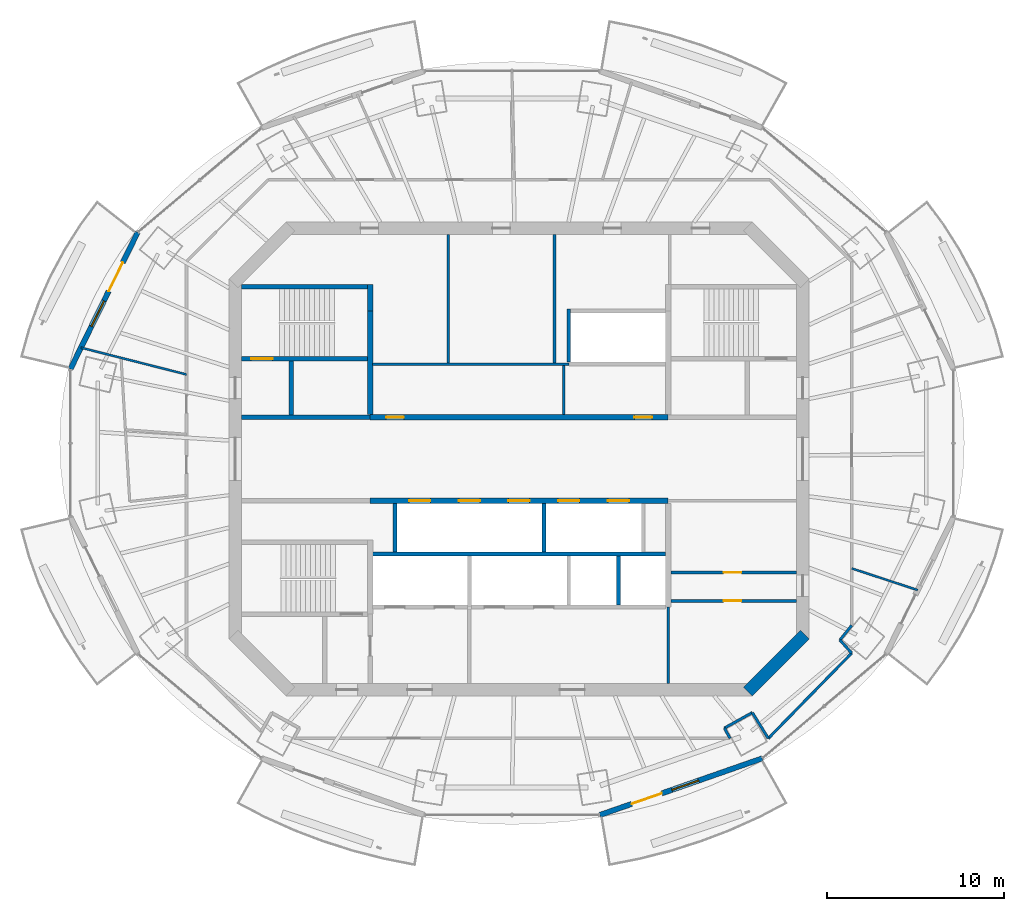
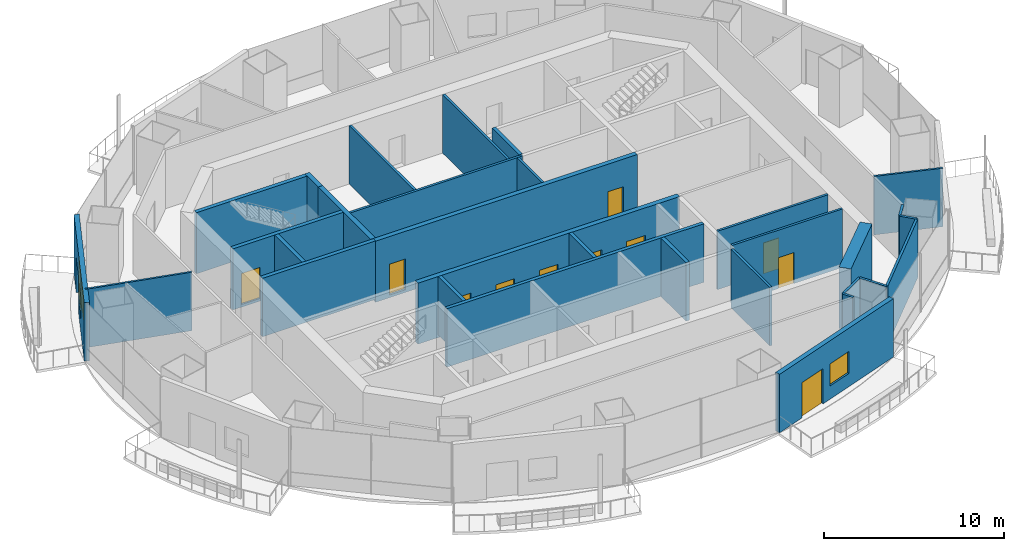
# One storey, part 9 of 15: 31 walls, 12 doors, 2 windows, 14 openings.
"""IFC4 building model written with IfcOpenShell, lengths in metres."""

from ifc_helpers import new_model, si_unit, direction, frame, frame_2d, origin, place, context, subcontext, project, spatial, rectangle, extrude, material, layer, layer_set, type_object, element, fill, save


model = new_model("IFC4")

# Units and contexts
model_context = context("Model", 3, precision=1e-05, world=origin(), true_north=direction((0.0, 1.0)))
body_context = subcontext(model_context, "Body", "Model", "MODEL_VIEW")
ifc_project = project(units=[si_unit("LENGTHUNIT", "METRE"), si_unit("AREAUNIT", "SQUARE_METRE"), si_unit("VOLUMEUNIT", "CUBIC_METRE"), si_unit("PLANEANGLEUNIT", "RADIAN"), si_unit("MASSUNIT", "GRAM", prefix="KILO")], contexts=[model_context])

# Site, building, storey
site_placement = place(None, origin())
site = spatial("IfcSite", under=ifc_project, at=site_placement, CompositionType="ELEMENT")
building_placement = place(site_placement, origin())
building = spatial("IfcBuilding", under=site, at=building_placement, Name="Marenthal Gate Tower", CompositionType="ELEMENT")
storey_placement = place(building_placement, frame((0.0, 0.0, 388.25)))
storey = spatial("IfcBuildingStorey", under=building, at=storey_placement, Name="L88", CompositionType="ELEMENT", Elevation=388.25)

# Wall
ifc_material_1 = material(Name="Concrete 60 MPa", Category="concrete")
ifc_layer_1 = layer(ifc_material_1, 0.699951171875)
ifc_layer_set_1 = layer_set([ifc_layer_1], Name="Core shear wall 700")
wall_type_1 = type_object("IfcWallType", Name="Core shear wall 700", PredefinedType="SHEAR", material=ifc_layer_set_1)
wall_1_placement = place(storey_placement, frame((12.8974609375, -13.1025390625, -0.179931640625), z_axis=(0.0, 0.0, 1.0), x_axis=(0.707106781187, 0.707106781187, 0.0)))
element("IfcWall", 1, at=wall_1_placement, inside=storey, type_object=wall_type_1, Name="Core wall 01", PredefinedType="SHEAR", context=body_context, shape_type="SweptSolid", body=[
    extrude(rectangle(XDim=4.53271484375, YDim=0.699951171875, at=frame_2d((2.266357421875, 0.0))), origin(), (0.0, 0.0, 1.0), 4.14990234375),
])

# Wall, openings, doors
ifc_material_2 = material(Name="Concrete 50 MPa", Category="concrete")
ifc_layer_2 = layer(ifc_material_2, 0.300048828125)
ifc_layer_set_2 = layer_set([ifc_layer_2], Name="Hoistway shear wall 300")
wall_type_2 = type_object("IfcWallType", Name="Hoistway shear wall 300", PredefinedType="SHEAR", material=ifc_layer_set_2)
wall_2_placement = place(storey_placement, frame((-8.39990234375, -2.35009765625, -0.179931640625), z_axis=(0.0, 0.0, 1.0), x_axis=(1.0, 0.0, 0.0)))
wall_2 = element("IfcWall", 2, at=wall_2_placement, inside=storey, type_object=wall_type_2, Name="Hoistway wall 17", PredefinedType="SHEAR", context=body_context, shape_type="SweptSolid", body=[
    extrude(rectangle(XDim=16.7998046875, YDim=0.300048828125, at=frame_2d((8.39990234375, 0.0))), origin(), (0.0, 0.0, 1.0), 4.14990234375),
])
opening_1_placement = place(wall_2_placement, frame((2.199951171875, 0.0, 0.179931640625)))
opening_1 = element("IfcOpeningElement", 3, at=opening_1_placement, cuts=wall_2, Name="Opening LD-HP1", PredefinedType="OPENING", context=body_context, shape_type="SweptSolid", body=[
    extrude(rectangle(XDim=1.199951171875, YDim=2.10009765625, at=frame_2d((0.60009765625, 1.050048828125))), frame((0.0, 0.16015625, 0.0), z_axis=(0.0, -1.0, 0.0), x_axis=(1.0, 0.0, 0.0)), (0.0, 0.0, 1.0), 0.320068359375),
])
opening_2_placement = place(wall_2_placement, frame((5.0, 0.0, 0.179931640625)))
opening_2 = element("IfcOpeningElement", 4, at=opening_2_placement, cuts=wall_2, Name="Opening LD-HP2", PredefinedType="OPENING", context=body_context, shape_type="SweptSolid", body=[
    extrude(rectangle(XDim=1.199951171875, YDim=2.10009765625, at=frame_2d((0.60009765625, 1.050048828125))), frame((0.0, 0.16015625, 0.0), z_axis=(0.0, -1.0, 0.0), x_axis=(1.0, 0.0, 0.0)), (0.0, 0.0, 1.0), 0.320068359375),
])
opening_3_placement = place(wall_2_placement, frame((7.800048828125, 0.0, 0.179931640625)))
opening_3 = element("IfcOpeningElement", 5, at=opening_3_placement, cuts=wall_2, Name="Opening LD-HP3", PredefinedType="OPENING", context=body_context, shape_type="SweptSolid", body=[
    extrude(rectangle(XDim=1.199951171875, YDim=2.10009765625, at=frame_2d((0.60009765625, 1.050048828125))), frame((0.0, 0.16015625, 0.0), z_axis=(0.0, -1.0, 0.0), x_axis=(1.0, 0.0, 0.0)), (0.0, 0.0, 1.0), 0.320068359375),
])
opening_4_placement = place(wall_2_placement, frame((10.60009765625, 0.0, 0.179931640625)))
opening_4 = element("IfcOpeningElement", 6, at=opening_4_placement, cuts=wall_2, Name="Opening LD-HP4", PredefinedType="OPENING", context=body_context, shape_type="SweptSolid", body=[
    extrude(rectangle(XDim=1.199951171875, YDim=2.10009765625, at=frame_2d((0.60009765625, 1.050048828125))), frame((0.0, 0.16015625, 0.0), z_axis=(0.0, -1.0, 0.0), x_axis=(1.0, 0.0, 0.0)), (0.0, 0.0, 1.0), 0.320068359375),
])
opening_5_placement = place(wall_2_placement, frame((13.39990234375, 0.0, 0.179931640625)))
opening_5 = element("IfcOpeningElement", 7, at=opening_5_placement, cuts=wall_2, Name="Opening LD-HP5", PredefinedType="OPENING", context=body_context, shape_type="SweptSolid", body=[
    extrude(rectangle(XDim=1.199951171875, YDim=2.10009765625, at=frame_2d((0.60009765625, 1.050048828125))), frame((0.0, 0.16015625, 0.0), z_axis=(0.0, -1.0, 0.0), x_axis=(1.0, 0.0, 0.0)), (0.0, 0.0, 1.0), 0.320068359375),
])
ifc_material_3 = material(Name="Stainless steel sliding door", Category="steel")
door_type_1 = type_object("IfcDoorType", Name="Lift landing door FD 90 1200 x 2100", OperationType="DOUBLE_DOOR_SLIDING", PredefinedType="DOOR", material=ifc_material_3)
door_1_placement = place(opening_1_placement, origin())
door_1 = element("IfcDoor", 8, at=door_1_placement, inside=storey, type_object=door_type_1, Name="Lift landing door HP1", OperationType="DOUBLE_DOOR_SLIDING", OverallHeight=2.10009765625, OverallWidth=1.199951171875, PredefinedType="DOOR", context=body_context, shape_type="SweptSolid", body=[
    extrude(rectangle(XDim=1.199951171875, YDim=2.10009765625, at=frame_2d((0.60009765625, 1.050048828125))), frame((0.0, 0.02490234375, 0.0), z_axis=(0.0, -1.0, 0.0), x_axis=(1.0, 0.0, 0.0)), (0.0, 0.0, 1.0), 0.050048828125),
])
fill(opening_1, door_1)
door_2_placement = place(opening_2_placement, origin())
door_2 = element("IfcDoor", 9, at=door_2_placement, inside=storey, type_object=door_type_1, Name="Lift landing door HP2", OperationType="DOUBLE_DOOR_SLIDING", OverallHeight=2.10009765625, OverallWidth=1.199951171875, PredefinedType="DOOR", context=body_context, shape_type="SweptSolid", body=[
    extrude(rectangle(XDim=1.199951171875, YDim=2.10009765625, at=frame_2d((0.60009765625, 1.050048828125))), frame((0.0, 0.02490234375, 0.0), z_axis=(0.0, -1.0, 0.0), x_axis=(1.0, 0.0, 0.0)), (0.0, 0.0, 1.0), 0.050048828125),
])
fill(opening_2, door_2)
door_3_placement = place(opening_3_placement, origin())
door_3 = element("IfcDoor", 10, at=door_3_placement, inside=storey, type_object=door_type_1, Name="Lift landing door HP3", OperationType="DOUBLE_DOOR_SLIDING", OverallHeight=2.10009765625, OverallWidth=1.199951171875, PredefinedType="DOOR", context=body_context, shape_type="SweptSolid", body=[
    extrude(rectangle(XDim=1.199951171875, YDim=2.10009765625, at=frame_2d((0.60009765625, 1.050048828125))), frame((0.0, 0.02490234375, 0.0), z_axis=(0.0, -1.0, 0.0), x_axis=(1.0, 0.0, 0.0)), (0.0, 0.0, 1.0), 0.050048828125),
])
fill(opening_3, door_3)
door_4_placement = place(opening_4_placement, origin())
door_4 = element("IfcDoor", 11, at=door_4_placement, inside=storey, type_object=door_type_1, Name="Lift landing door HP4", OperationType="DOUBLE_DOOR_SLIDING", OverallHeight=2.10009765625, OverallWidth=1.199951171875, PredefinedType="DOOR", context=body_context, shape_type="SweptSolid", body=[
    extrude(rectangle(XDim=1.199951171875, YDim=2.10009765625, at=frame_2d((0.60009765625, 1.050048828125))), frame((0.0, 0.02490234375, 0.0), z_axis=(0.0, -1.0, 0.0), x_axis=(1.0, 0.0, 0.0)), (0.0, 0.0, 1.0), 0.050048828125),
])
fill(opening_4, door_4)
door_5_placement = place(opening_5_placement, origin())
door_5 = element("IfcDoor", 12, at=door_5_placement, inside=storey, type_object=door_type_1, Name="Lift landing door HP5", OperationType="DOUBLE_DOOR_SLIDING", OverallHeight=2.10009765625, OverallWidth=1.199951171875, PredefinedType="DOOR", context=body_context, shape_type="SweptSolid", body=[
    extrude(rectangle(XDim=1.199951171875, YDim=2.10009765625, at=frame_2d((0.60009765625, 1.050048828125))), frame((0.0, 0.02490234375, 0.0), z_axis=(0.0, -1.0, 0.0), x_axis=(1.0, 0.0, 0.0)), (0.0, 0.0, 1.0), 0.050048828125),
])
fill(opening_5, door_5)

wall_3_placement = place(storey_placement, frame((-8.39990234375, 2.35009765625, -0.179931640625), z_axis=(0.0, 0.0, 1.0), x_axis=(1.0, 0.0, 0.0)))
wall_3 = element("IfcWall", 13, at=wall_3_placement, inside=storey, type_object=wall_type_2, Name="Hoistway wall 20", PredefinedType="SHEAR", context=body_context, shape_type="SweptSolid", body=[
    extrude(rectangle(XDim=16.7998046875, YDim=0.300048828125, at=frame_2d((8.39990234375, 0.0))), origin(), (0.0, 0.0, 1.0), 4.14990234375),
])
opening_6_placement = place(wall_3_placement, frame((0.89990234375, 0.0, 0.179931640625)))
opening_6 = element("IfcOpeningElement", 14, at=opening_6_placement, cuts=wall_3, Name="Opening D005.01", PredefinedType="OPENING", context=body_context, shape_type="SweptSolid", body=[
    extrude(rectangle(XDim=1.0, YDim=2.10009765625, at=frame_2d((0.5, 1.050048828125))), frame((0.0, 0.16015625, 0.0), z_axis=(0.0, -1.0, 0.0), x_axis=(1.0, 0.0, 0.0)), (0.0, 0.0, 1.0), 0.320068359375),
])
opening_7_placement = place(wall_3_placement, frame((14.89990234375, 0.0, 0.179931640625)))
opening_7 = element("IfcOpeningElement", 15, at=opening_7_placement, cuts=wall_3, Name="Opening D005.02", PredefinedType="OPENING", context=body_context, shape_type="SweptSolid", body=[
    extrude(rectangle(XDim=1.0, YDim=2.10009765625, at=frame_2d((0.5, 1.050048828125))), frame((0.0, 0.16015625, 0.0), z_axis=(0.0, -1.0, 0.0), x_axis=(1.0, 0.0, 0.0)), (0.0, 0.0, 1.0), 0.320068359375),
])
ifc_material_4 = material(Name="Steel fire door", Category="steel")
door_type_2 = type_object("IfcDoorType", Name="Fire door FD 45 1000 x 2100", OperationType="NOTDEFINED", PredefinedType="DOOR", material=ifc_material_4)
door_6_placement = place(opening_6_placement, origin())
door_6 = element("IfcDoor", 16, at=door_6_placement, inside=storey, type_object=door_type_2, Name="Door D005.01", OperationType="SINGLE_SWING_RIGHT", OverallHeight=2.10009765625, OverallWidth=1.0, PredefinedType="DOOR", context=body_context, shape_type="SweptSolid", body=[
    extrude(rectangle(XDim=1.0, YDim=2.10009765625, at=frame_2d((0.5, 1.050048828125))), frame((0.0, 0.02490234375, 0.0), z_axis=(0.0, -1.0, 0.0), x_axis=(1.0, 0.0, 0.0)), (0.0, 0.0, 1.0), 0.050048828125),
])
fill(opening_6, door_6)
door_7_placement = place(opening_7_placement, origin())
door_7 = element("IfcDoor", 17, at=door_7_placement, inside=storey, type_object=door_type_2, Name="Door D005.02", OperationType="SINGLE_SWING_RIGHT", OverallHeight=2.10009765625, OverallWidth=1.0, PredefinedType="DOOR", context=body_context, shape_type="SweptSolid", body=[
    extrude(rectangle(XDim=1.0, YDim=2.10009765625, at=frame_2d((0.5, 1.050048828125))), frame((0.0, 0.02490234375, 0.0), z_axis=(0.0, -1.0, 0.0), x_axis=(1.0, 0.0, 0.0)), (0.0, 0.0, 1.0), 0.050048828125),
])
fill(opening_7, door_7)

# Walls
wall_4_placement = place(storey_placement, frame((-8.39990234375, 2.5, -0.179931640625), z_axis=(0.0, 0.0, 1.0), x_axis=(0.0, 1.0, 0.0)))
element("IfcWall", 18, at=wall_4_placement, inside=storey, type_object=wall_type_2, Name="Hoistway wall 33", PredefinedType="SHEAR", context=body_context, shape_type="SweptSolid", body=[
    extrude(rectangle(XDim=5.85009765625, YDim=0.300048828125, at=frame_2d((2.925048828125, 0.0))), origin(), (0.0, 0.0, 1.0), 4.14990234375),
])
ifc_material_5 = material(Name="Concrete 40 MPa", Category="concrete")
ifc_layer_3 = layer(ifc_material_5, 0.219970703125)
ifc_layer_set_3 = layer_set([ifc_layer_3], Name="Hoistway wall 220")
wall_type_3 = type_object("IfcWallType", Name="Hoistway wall 220", PredefinedType="STANDARD", material=ifc_layer_set_3)
wall_5_placement = place(storey_placement, frame((-8.25, -5.35009765625, 0.0), z_axis=(0.0, 0.0, 1.0), x_axis=(1.0, 0.0, 0.0)))
element("IfcWall", 19, at=wall_5_placement, inside=storey, type_object=wall_type_3, Name="Hoistway wall 14", PredefinedType="STANDARD", context=body_context, shape_type="SweptSolid", body=[
    extrude(rectangle(XDim=16.5, YDim=0.219970703125, at=frame_2d((8.25, 0.0))), origin(), (0.0, 0.0, 1.0), 3.969970703125),
])
for number, where, z_axis, x_axis, name in (
    (20, (-7.0, -5.239990234375, 0.0), (0.0, 0.0, 1.0), (0.0, 1.0, 0.0), "Hoistway wall 35"),
    (21, (1.39990234375, -5.239990234375, 0.0), (0.0, 0.0, 1.0), (0.0, 1.0, 0.0), "Hoistway wall 39"),
):
    element("IfcWall", number, at=place(storey_placement, frame(where, z_axis=z_axis, x_axis=x_axis)), inside=storey, type_object=wall_type_3, Name=name, PredefinedType="STANDARD", context=body_context, shape_type="SweptSolid", body=[
        extrude(rectangle(XDim=2.739990234375, YDim=0.219970703125, at=frame_2d((1.3701171875, 0.0))), origin(), (0.0, 0.0, 1.0), 3.969970703125),
    ])
wall_6_placement = place(storey_placement, frame((2.800048828125, 5.4599609375, 0.0), z_axis=(0.0, 0.0, 1.0), x_axis=(0.0, 1.0, 0.0)))
element("IfcWall", 22, at=wall_6_placement, inside=storey, type_object=wall_type_3, Name="Hoistway wall 43", PredefinedType="STANDARD", context=body_context, shape_type="SweptSolid", body=[
    extrude(rectangle(XDim=3.0, YDim=0.219970703125, at=frame_2d((1.5, 0.0))), origin(), (0.0, 0.0, 1.0), 3.969970703125),
])
wall_7_placement = place(storey_placement, frame((5.60009765625, -8.239990234375, 0.0), z_axis=(0.0, 0.0, 1.0), x_axis=(0.0, 1.0, 0.0)))
element("IfcWall", 23, at=wall_7_placement, inside=storey, type_object=wall_type_3, Name="Hoistway wall 44", PredefinedType="STANDARD", context=body_context, shape_type="SweptSolid", body=[
    extrude(rectangle(XDim=2.780029296875, YDim=0.219970703125, at=frame_2d((1.39013671875, 0.0))), origin(), (0.0, 0.0, 1.0), 3.969970703125),
])
ifc_material_6 = material(Name="Gypsum board on steel studs", Category="steel")
ifc_layer_4 = layer(ifc_material_6, 0.1201171875)
ifc_layer_set_4 = layer_set([ifc_layer_4], Name="Partition 120")
wall_type_4 = type_object("IfcWallType", Name="Partition 120", PredefinedType="PARTITIONING", material=ifc_layer_set_4)
wall_8_placement = place(storey_placement, frame((-18.75, 4.765380859375, 0.0), z_axis=(0.0, 0.0, 1.0), x_axis=(-0.969189937919, 0.246314563589, 0.0)))
element("IfcWall", 24, at=wall_8_placement, inside=storey, type_object=wall_type_4, Name="Partition wall 56", PredefinedType="PARTITIONING", context=body_context, shape_type="SweptSolid", body=[
    extrude(rectangle(XDim=6.138427734375, YDim=0.1201171875, at=frame_2d((3.0693359375, 0.0))), origin(), (0.0, 0.0, 1.0), 3.969970703125),
])
wall_9_placement = place(storey_placement, frame((18.75, -6.166015625, 0.0), z_axis=(0.0, 0.0, 1.0), x_axis=(0.949948202416, -0.312407446657, 0.0)))
element("IfcWall", 25, at=wall_9_placement, inside=storey, type_object=wall_type_4, Name="Partition wall 75", PredefinedType="PARTITIONING", context=body_context, shape_type="SweptSolid", body=[
    extrude(rectangle(XDim=3.91357421875, YDim=0.1201171875, at=frame_2d((1.956787109375, 0.0))), origin(), (0.0, 0.0, 1.0), 3.969970703125),
])

# Wall, opening, door
ifc_material_7 = material(Name="Gypsum board on steel studs", Category="steel")
ifc_layer_5 = layer(ifc_material_7, 0.14990234375)
ifc_layer_set_5 = layer_set([ifc_layer_5], Name="Partition 150")
wall_type_5 = type_object("IfcWallType", Name="Partition 150", PredefinedType="PARTITIONING", material=ifc_layer_set_5)
wall_10_placement = place(storey_placement, frame((8.550048828125, -8.0, 0.0), z_axis=(0.0, 0.0, 1.0), x_axis=(1.0, 0.0, 0.0)))
wall_10 = element("IfcWall", 26, at=wall_10_placement, inside=storey, type_object=wall_type_5, Name="Partition wall 12", PredefinedType="PARTITIONING", context=body_context, shape_type="SweptSolid", body=[
    extrude(rectangle(XDim=7.099853515625, YDim=0.14990234375, at=frame_2d((3.5498046875, 0.0))), origin(), (0.0, 0.0, 1.0), 3.969970703125),
])
opening_8_placement = place(wall_10_placement, frame((2.97509765625, 0.0, 0.0)))
opening_8 = element("IfcOpeningElement", 27, at=opening_8_placement, cuts=wall_10, Name="Opening D005.08", PredefinedType="OPENING", context=body_context, shape_type="SweptSolid", body=[
    extrude(rectangle(XDim=1.0, YDim=2.10009765625, at=frame_2d((0.5, 1.050048828125))), frame((0.0, 0.0849609375, 0.0), z_axis=(0.0, -1.0, 0.0), x_axis=(1.0, 0.0, 0.0)), (0.0, 0.0, 1.0), 0.169921875),
])
door_8_placement = place(opening_8_placement, frame((1.0, 0.0, 0.0), z_axis=(0.0, 0.0, 1.0), x_axis=(-1.0, 0.0, 0.0)))
door_8 = element("IfcDoor", 28, at=door_8_placement, inside=storey, type_object=door_type_2, Name="Door D005.08", OperationType="SINGLE_SWING_LEFT", OverallHeight=2.10009765625, OverallWidth=1.0, PredefinedType="DOOR", context=body_context, shape_type="SweptSolid", body=[
    extrude(rectangle(XDim=1.0, YDim=2.10009765625, at=frame_2d((0.5, 1.050048828125))), frame((0.0, 0.02490234375, 0.0), z_axis=(0.0, -1.0, 0.0), x_axis=(1.0, 0.0, 0.0)), (0.0, 0.0, 1.0), 0.050048828125),
])
fill(opening_8, door_8)

wall_11_placement = place(storey_placement, frame((8.550048828125, -6.39990234375, 0.0), z_axis=(0.0, 0.0, 1.0), x_axis=(1.0, 0.0, 0.0)))
wall_11 = element("IfcWall", 29, at=wall_11_placement, inside=storey, type_object=wall_type_5, Name="Partition wall 13", PredefinedType="PARTITIONING", context=body_context, shape_type="SweptSolid", body=[
    extrude(rectangle(XDim=7.099853515625, YDim=0.14990234375, at=frame_2d((3.5498046875, 0.0))), origin(), (0.0, 0.0, 1.0), 3.969970703125),
])
opening_9_placement = place(wall_11_placement, frame((2.97509765625, 0.0, 0.0)))
opening_9 = element("IfcOpeningElement", 30, at=opening_9_placement, cuts=wall_11, Name="Opening D005.07", PredefinedType="OPENING", context=body_context, shape_type="SweptSolid", body=[
    extrude(rectangle(XDim=1.0, YDim=2.10009765625, at=frame_2d((0.5, 1.050048828125))), frame((0.0, 0.0849609375, 0.0), z_axis=(0.0, -1.0, 0.0), x_axis=(1.0, 0.0, 0.0)), (0.0, 0.0, 1.0), 0.169921875),
])
door_9_placement = place(opening_9_placement, origin())
door_9 = element("IfcDoor", 31, at=door_9_placement, inside=storey, type_object=door_type_2, Name="Door D005.07", OperationType="SINGLE_SWING_RIGHT", OverallHeight=2.10009765625, OverallWidth=1.0, PredefinedType="DOOR", context=body_context, shape_type="SweptSolid", body=[
    extrude(rectangle(XDim=1.0, YDim=2.10009765625, at=frame_2d((0.5, 1.050048828125))), frame((0.0, 0.02490234375, 0.0), z_axis=(0.0, -1.0, 0.0), x_axis=(1.0, 0.0, 0.0)), (0.0, 0.0, 1.0), 0.050048828125),
])
fill(opening_9, door_9)

# Walls
wall_12_placement = place(storey_placement, frame((-8.25, 5.35009765625, 0.0), z_axis=(0.0, 0.0, 1.0), x_axis=(1.0, 0.0, 0.0)))
element("IfcWall", 32, at=wall_12_placement, inside=storey, type_object=wall_type_5, Name="Partition wall 22", PredefinedType="PARTITIONING", context=body_context, shape_type="SweptSolid", body=[
    extrude(rectangle(XDim=11.050048828125, YDim=0.14990234375, at=frame_2d((5.52490234375, 0.0))), origin(), (0.0, 0.0, 1.0), 3.969970703125),
])
for number, where, z_axis, x_axis, name in (
    (33, (-4.0, 5.425048828125, 0.0), (0.0, 0.0, 1.0), (0.0, 1.0, 0.0), "Partition wall 36"),
    (34, (2.0, 5.425048828125, 0.0), (0.0, 0.0, 1.0), (0.0, 1.0, 0.0), "Partition wall 40"),
):
    element("IfcWall", number, at=place(storey_placement, frame(where, z_axis=z_axis, x_axis=x_axis)), inside=storey, type_object=wall_type_5, Name=name, PredefinedType="PARTITIONING", context=body_context, shape_type="SweptSolid", body=[
        extrude(rectangle(XDim=7.224853515625, YDim=0.14990234375, at=frame_2d((3.6123046875, 0.0))), origin(), (0.0, 0.0, 1.0), 3.969970703125),
    ])
wall_13_placement = place(storey_placement, frame((2.52001953125, 2.5, 0.0), z_axis=(0.0, 0.0, 1.0), x_axis=(0.0, 1.0, 0.0)))
element("IfcWall", 35, at=wall_13_placement, inside=storey, type_object=wall_type_5, Name="Partition wall 41", PredefinedType="PARTITIONING", context=body_context, shape_type="SweptSolid", body=[
    extrude(rectangle(XDim=2.77490234375, YDim=0.14990234375, at=frame_2d((1.387451171875, 0.0))), origin(), (0.0, 0.0, 1.0), 3.969970703125),
])
wall_14_placement = place(storey_placement, frame((8.39990234375, -12.64990234375, 0.0), z_axis=(0.0, 0.0, 1.0), x_axis=(0.0, 1.0, 0.0)))
element("IfcWall", 36, at=wall_14_placement, inside=storey, type_object=wall_type_5, Name="Partition wall 46", PredefinedType="PARTITIONING", context=body_context, shape_type="SweptSolid", body=[
    extrude(rectangle(XDim=4.2998046875, YDim=0.14990234375, at=frame_2d((2.14990234375, 0.0))), origin(), (0.0, 0.0, 1.0), 3.969970703125),
])
wall_15_placement = place(storey_placement, frame((11.574462890625, -15.169921875, 0.0), z_axis=(0.0, 0.0, 1.0), x_axis=(0.485642931179, -0.874157276122, 0.0)))
element("IfcWall", 37, at=wall_15_placement, inside=storey, type_object=wall_type_5, Name="Partition wall 67", PredefinedType="PARTITIONING", context=body_context, shape_type="SweptSolid", body=[
    extrude(rectangle(XDim=0.66357421875, YDim=0.14990234375, at=frame_2d((0.331787109375, 0.0))), origin(), (0.0, 0.0, 1.0), 3.969970703125),
])
wall_16_placement = place(storey_placement, frame((13.147705078125, -14.29541015625, 0.0), z_axis=(0.0, 0.0, 1.0), x_axis=(-0.874042088414, -0.485850211157, 0.0)))
element("IfcWall", 38, at=wall_16_placement, inside=storey, type_object=wall_type_5, Name="Partition wall 69", PredefinedType="PARTITIONING", context=body_context, shape_type="SweptSolid", body=[
    extrude(rectangle(XDim=1.800048828125, YDim=0.14990234375, at=frame_2d((0.89990234375, 0.0))), origin(), (0.0, 0.0, 1.0), 3.969970703125),
])
wall_17_placement = place(storey_placement, frame((14.047607421875, -15.75, 0.0), z_axis=(0.0, 0.0, 1.0), x_axis=(-0.526118731738, 0.850411124171, 0.0)))
element("IfcWall", 39, at=wall_17_placement, inside=storey, type_object=wall_type_5, Name="Partition wall 70", PredefinedType="PARTITIONING", context=body_context, shape_type="SweptSolid", body=[
    extrude(rectangle(XDim=1.71044921875, YDim=0.14990234375, at=frame_2d((0.855224609375, 0.0))), origin(), (0.0, 0.0, 1.0), 3.969970703125),
])
wall_18_placement = place(storey_placement, frame((18.084716796875, -10.20703125, 0.0), z_axis=(0.0, 0.0, 1.0), x_axis=(0.671997420102, -0.740553487181, 0.0)))
element("IfcWall", 40, at=wall_18_placement, inside=storey, type_object=wall_type_5, Name="Partition wall 72", PredefinedType="PARTITIONING", context=body_context, shape_type="SweptSolid", body=[
    extrude(rectangle(XDim=0.989990234375, YDim=0.14990234375, at=frame_2d((0.4951171875, 0.0))), origin(), (0.0, 0.0, 1.0), 3.969970703125),
])
wall_19_placement = place(storey_placement, frame((18.75, -10.940185546875, 0.0), z_axis=(0.0, 0.0, 1.0), x_axis=(-0.699076809287, -0.715046582201, 0.0)))
element("IfcWall", 41, at=wall_19_placement, inside=storey, type_object=wall_type_5, Name="Partition wall 73", PredefinedType="PARTITIONING", context=body_context, shape_type="SweptSolid", body=[
    extrude(rectangle(XDim=6.7265625, YDim=0.14990234375, at=frame_2d((3.36328125, 0.0))), origin(), (0.0, 0.0, 1.0), 3.969970703125),
])
wall_20_placement = place(storey_placement, frame((18.75, -9.37890625, 0.0), z_axis=(0.0, 0.0, 1.0), x_axis=(-0.626291350623, -0.779589086721, 0.0)))
element("IfcWall", 42, at=wall_20_placement, inside=storey, type_object=wall_type_5, Name="Partition wall 74", PredefinedType="PARTITIONING", context=body_context, shape_type="SweptSolid", body=[
    extrude(rectangle(XDim=1.062255859375, YDim=0.14990234375, at=frame_2d((0.53125, 0.0))), origin(), (0.0, 0.0, 1.0), 3.969970703125),
])
ifc_material_8 = material(Name="Concrete 40 MPa", Category="concrete")
ifc_layer_6 = layer(ifc_material_8, 0.25)
ifc_layer_set_6 = layer_set([ifc_layer_6], Name="Stair enclosure wall 250")
wall_type_6 = type_object("IfcWallType", Name="Stair enclosure wall 250", PredefinedType="STANDARD", material=ifc_layer_set_6)
wall_21_placement = place(storey_placement, frame((-15.64990234375, 2.35009765625, 0.0), z_axis=(0.0, 0.0, 1.0), x_axis=(1.0, 0.0, 0.0)))
element("IfcWall", 43, at=wall_21_placement, inside=storey, type_object=wall_type_6, Name="Stair wall 19", PredefinedType="STANDARD", context=body_context, shape_type="SweptSolid", body=[
    extrude(rectangle(XDim=7.25, YDim=0.25, at=frame_2d((3.625, 0.0))), origin(), (0.0, 0.0, 1.0), 3.969970703125),
])
wall_22_placement = place(storey_placement, frame((-12.85009765625, 2.47509765625, 0.0), z_axis=(0.0, 0.0, 1.0), x_axis=(0.0, 1.0, 0.0)))
element("IfcWall", 44, at=wall_22_placement, inside=storey, type_object=wall_type_6, Name="Stair wall 29", PredefinedType="STANDARD", context=body_context, shape_type="SweptSolid", body=[
    extrude(rectangle(XDim=3.0498046875, YDim=0.25, at=frame_2d((1.52490234375, 0.0))), origin(), (0.0, 0.0, 1.0), 3.969970703125),
])

# Wall, opening, door
ifc_material_9 = material(Name="Concrete 50 MPa", Category="concrete")
ifc_layer_7 = layer(ifc_material_9, 0.25)
ifc_layer_set_7 = layer_set([ifc_layer_7], Name="Stair shear wall 250")
wall_type_7 = type_object("IfcWallType", Name="Stair shear wall 250", PredefinedType="SHEAR", material=ifc_layer_set_7)
wall_23_placement = place(storey_placement, frame((-15.64990234375, 5.64990234375, -0.179931640625), z_axis=(0.0, 0.0, 1.0), x_axis=(1.0, 0.0, 0.0)))
wall_23 = element("IfcWall", 45, at=wall_23_placement, inside=storey, type_object=wall_type_7, Name="Stair wall 24", PredefinedType="SHEAR", context=body_context, shape_type="SweptSolid", body=[
    extrude(rectangle(XDim=7.099853515625, YDim=0.25, at=frame_2d((3.5498046875, 0.0))), origin(), (0.0, 0.0, 1.0), 4.14990234375),
])
opening_10_placement = place(wall_23_placement, frame((0.550048828125, 0.0, 0.179931640625)))
opening_10 = element("IfcOpeningElement", 46, at=opening_10_placement, cuts=wall_23, Name="Opening D001.01", PredefinedType="OPENING", context=body_context, shape_type="SweptSolid", body=[
    extrude(rectangle(XDim=1.199951171875, YDim=2.10009765625, at=frame_2d((0.60009765625, 1.050048828125))), frame((0.0, 0.135009765625, 0.0), z_axis=(0.0, -1.0, 0.0), x_axis=(1.0, 0.0, 0.0)), (0.0, 0.0, 1.0), 0.27001953125),
])
ifc_material_10 = material(Name="Steel fire door", Category="steel")
door_type_3 = type_object("IfcDoorType", Name="Fire door FD 90 1200 x 2100", OperationType="NOTDEFINED", PredefinedType="DOOR", material=ifc_material_10)
door_10_placement = place(opening_10_placement, origin())
door_10 = element("IfcDoor", 47, at=door_10_placement, inside=storey, type_object=door_type_3, Name="Door D001.01", OperationType="SINGLE_SWING_RIGHT", OverallHeight=2.10009765625, OverallWidth=1.199951171875, PredefinedType="DOOR", context=body_context, shape_type="SweptSolid", body=[
    extrude(rectangle(XDim=1.199951171875, YDim=2.10009765625, at=frame_2d((0.60009765625, 1.050048828125))), frame((0.0, 0.02490234375, 0.0), z_axis=(0.0, -1.0, 0.0), x_axis=(1.0, 0.0, 0.0)), (0.0, 0.0, 1.0), 0.050048828125),
])
fill(opening_10, door_10)

# Walls
wall_24_placement = place(storey_placement, frame((-15.64990234375, 9.699951171875, -0.179931640625), z_axis=(0.0, 0.0, 1.0), x_axis=(1.0, 0.0, 0.0)))
element("IfcWall", 48, at=wall_24_placement, inside=storey, type_object=wall_type_7, Name="Stair wall 27", PredefinedType="SHEAR", context=body_context, shape_type="SweptSolid", body=[
    extrude(rectangle(XDim=7.099853515625, YDim=0.25, at=frame_2d((3.5498046875, 0.0))), origin(), (0.0, 0.0, 1.0), 4.14990234375),
])
ifc_material_11 = material(Name="Concrete 50 MPa", Category="concrete")
ifc_layer_8 = layer(ifc_material_11, 0.300048828125)
ifc_layer_set_8 = layer_set([ifc_layer_8], Name="Stair shear wall 300")
wall_type_8 = type_object("IfcWallType", Name="Stair shear wall 300", PredefinedType="SHEAR", material=ifc_layer_set_8)
wall_25_placement = place(storey_placement, frame((-8.39990234375, 8.35009765625, -0.179931640625), z_axis=(0.0, 0.0, 1.0), x_axis=(0.0, 1.0, 0.0)))
element("IfcWall", 49, at=wall_25_placement, inside=storey, type_object=wall_type_8, Name="Stair wall 34", PredefinedType="SHEAR", context=body_context, shape_type="SweptSolid", body=[
    extrude(rectangle(XDim=1.474853515625, YDim=0.300048828125, at=frame_2d((0.7373046875, 0.0))), origin(), (0.0, 0.0, 1.0), 4.14990234375),
])

# Wall, openings, door, window
ifc_material_12 = material(Name="Terracotta cladding on insulated concrete-block backing", Category="masonry")
ifc_layer_9 = layer(ifc_material_12, 0.300048828125)
ifc_layer_set_9 = layer_set([ifc_layer_9], Name="Terracotta facade wall 300")
wall_type_9 = type_object("IfcWallType", Name="Terracotta facade wall 300", PredefinedType="SOLIDWALL", material=ifc_layer_set_9)
wall_26_placement = place(storey_placement, frame((-21.502685546875, 12.778076171875, 0.0), z_axis=(0.0, 0.0, 1.0), x_axis=(-0.441245353493, -0.897386504256, 0.0)))
wall_26 = element("IfcWall", 50, at=wall_26_placement, inside=storey, type_object=wall_type_9, Name="Terracotta facade wall L88 bay 7", PredefinedType="SOLIDWALL", context=body_context, shape_type="SweptSolid", body=[
    extrude(rectangle(XDim=8.58837890625, YDim=0.300048828125, at=frame_2d((4.294189453125, 0.0))), origin(), (0.0, 0.0, 1.0), 3.969970703125),
])
opening_11_placement = place(wall_26_placement, frame((1.89990234375, 0.0, 0.0)))
opening_11 = element("IfcOpeningElement", 51, at=opening_11_placement, cuts=wall_26, Name="Opening BD-L88-07", PredefinedType="OPENING", context=body_context, shape_type="SweptSolid", body=[
    extrude(rectangle(XDim=1.800048828125, YDim=2.39990234375, at=frame_2d((0.89990234375, 1.199951171875))), frame((0.0, 0.16015625, 0.0), z_axis=(0.0, -1.0, 0.0), x_axis=(1.0, 0.0, 0.0)), (0.0, 0.0, 1.0), 0.320068359375),
])
opening_12_placement = place(wall_26_placement, frame((4.300048828125, 0.0, 0.89990234375)))
opening_12 = element("IfcOpeningElement", 52, at=opening_12_placement, cuts=wall_26, Name="Opening WN3-L88-07", PredefinedType="OPENING", context=body_context, shape_type="SweptSolid", body=[
    extrude(rectangle(XDim=1.60009765625, YDim=1.5, at=frame_2d((0.800048828125, 0.75))), frame((0.0, 0.16015625, 0.0), z_axis=(0.0, -1.0, 0.0), x_axis=(1.0, 0.0, 0.0)), (0.0, 0.0, 1.0), 0.320068359375),
])
ifc_material_13 = material(Name="Aluminium and glass", Category="aluminium")
door_type_4 = type_object("IfcDoorType", Name="Balcony door 1800x2400", OperationType="DOUBLE_DOOR_SINGLE_SWING", PredefinedType="DOOR", material=ifc_material_13)
door_11_placement = place(opening_11_placement, origin())
door_11 = element("IfcDoor", 53, at=door_11_placement, inside=storey, type_object=door_type_4, Name="Balcony door L88 bay 7", OperationType="SINGLE_SWING_LEFT", OverallHeight=2.39990234375, OverallWidth=1.800048828125, PredefinedType="DOOR", context=body_context, shape_type="SweptSolid", body=[
    extrude(rectangle(XDim=1.800048828125, YDim=2.39990234375, at=frame_2d((0.89990234375, 1.199951171875))), frame((0.0, 0.02490234375, 0.0), z_axis=(0.0, -1.0, 0.0), x_axis=(1.0, 0.0, 0.0)), (0.0, 0.0, 1.0), 0.050048828125),
])
fill(opening_11, door_11)
ifc_material_14 = material(Name="Aluminium and glass", Category="aluminium")
window_type = type_object("IfcWindowType", Name="Window 1600x1500", PartitioningType="DOUBLE_PANEL_VERTICAL", PredefinedType="WINDOW", material=ifc_material_14)
window_1_placement = place(opening_12_placement, origin())
window_1 = element("IfcWindow", 54, at=window_1_placement, inside=storey, type_object=window_type, Name="Window L88 bay 7", OverallHeight=1.5, OverallWidth=1.60009765625, PartitioningType="SINGLE_PANEL", PredefinedType="WINDOW", context=body_context, shape_type="SweptSolid", body=[
    extrude(rectangle(XDim=1.60009765625, YDim=1.5, at=frame_2d((0.800048828125, 0.75))), frame((0.0, 0.030029296875, 0.0), z_axis=(0.0, -1.0, 0.0), x_axis=(1.0, 0.0, 0.0)), (0.0, 0.0, 1.0), 0.06005859375),
])
fill(opening_12, window_1)

wall_27_placement = place(storey_placement, frame((4.551513671875, -20.069091796875, 0.0), z_axis=(0.0, 0.0, 1.0), x_axis=(0.944171386598, 0.329454689949, 0.0)))
wall_27 = element("IfcWall", 55, at=wall_27_placement, inside=storey, type_object=wall_type_9, Name="Terracotta facade wall L88 bay 13", PredefinedType="SOLIDWALL", context=body_context, shape_type="SweptSolid", body=[
    extrude(rectangle(XDim=9.68994140625, YDim=0.300048828125, at=frame_2d((4.844970703125, 0.0))), origin(), (0.0, 0.0, 1.0), 3.969970703125),
])
opening_13_placement = place(wall_27_placement, frame((1.89990234375, 0.0, 0.0)))
opening_13 = element("IfcOpeningElement", 56, at=opening_13_placement, cuts=wall_27, Name="Opening BD-L88-13", PredefinedType="OPENING", context=body_context, shape_type="SweptSolid", body=[
    extrude(rectangle(XDim=1.800048828125, YDim=2.39990234375, at=frame_2d((0.89990234375, 1.199951171875))), frame((0.0, 0.16015625, 0.0), z_axis=(0.0, -1.0, 0.0), x_axis=(1.0, 0.0, 0.0)), (0.0, 0.0, 1.0), 0.320068359375),
])
opening_14_placement = place(wall_27_placement, frame((4.300048828125, 0.0, 0.89990234375)))
opening_14 = element("IfcOpeningElement", 57, at=opening_14_placement, cuts=wall_27, Name="Opening WN3-L88-13", PredefinedType="OPENING", context=body_context, shape_type="SweptSolid", body=[
    extrude(rectangle(XDim=1.60009765625, YDim=1.5, at=frame_2d((0.800048828125, 0.75))), frame((0.0, 0.16015625, 0.0), z_axis=(0.0, -1.0, 0.0), x_axis=(1.0, 0.0, 0.0)), (0.0, 0.0, 1.0), 0.320068359375),
])
door_12_placement = place(opening_13_placement, origin())
door_12 = element("IfcDoor", 58, at=door_12_placement, inside=storey, type_object=door_type_4, Name="Balcony door L88 bay 13", OperationType="SINGLE_SWING_LEFT", OverallHeight=2.39990234375, OverallWidth=1.800048828125, PredefinedType="DOOR", context=body_context, shape_type="SweptSolid", body=[
    extrude(rectangle(XDim=1.800048828125, YDim=2.39990234375, at=frame_2d((0.89990234375, 1.199951171875))), frame((0.0, 0.02490234375, 0.0), z_axis=(0.0, -1.0, 0.0), x_axis=(1.0, 0.0, 0.0)), (0.0, 0.0, 1.0), 0.050048828125),
])
fill(opening_13, door_12)
window_2_placement = place(opening_14_placement, origin())
window_2 = element("IfcWindow", 59, at=window_2_placement, inside=storey, type_object=window_type, Name="Window L88 bay 13", OverallHeight=1.5, OverallWidth=1.60009765625, PartitioningType="SINGLE_PANEL", PredefinedType="WINDOW", context=body_context, shape_type="SweptSolid", body=[
    extrude(rectangle(XDim=1.60009765625, YDim=1.5, at=frame_2d((0.800048828125, 0.75))), frame((0.0, 0.030029296875, 0.0), z_axis=(0.0, -1.0, 0.0), x_axis=(1.0, 0.0, 0.0)), (0.0, 0.0, 1.0), 0.06005859375),
])
fill(opening_14, window_2)

save(model, "model.ifc")
